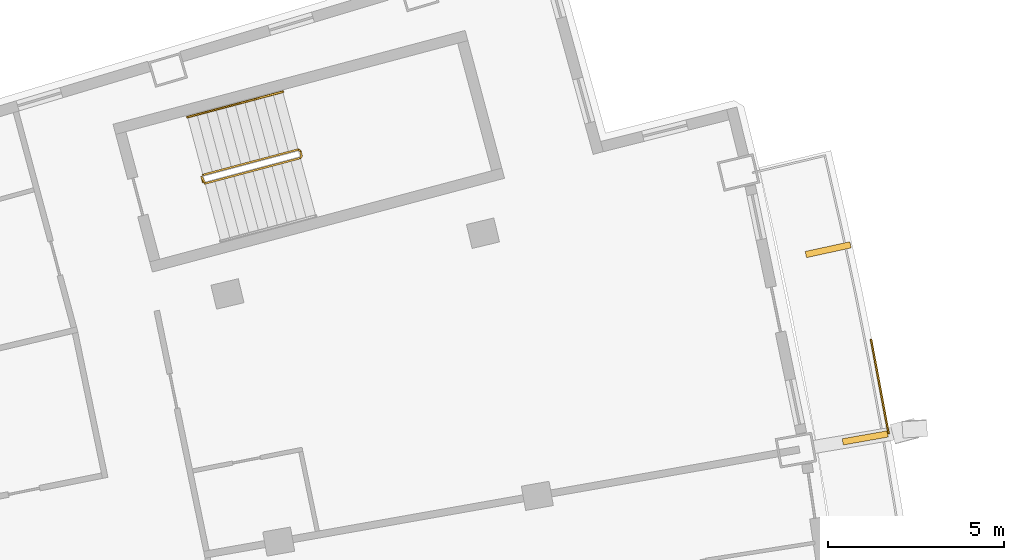
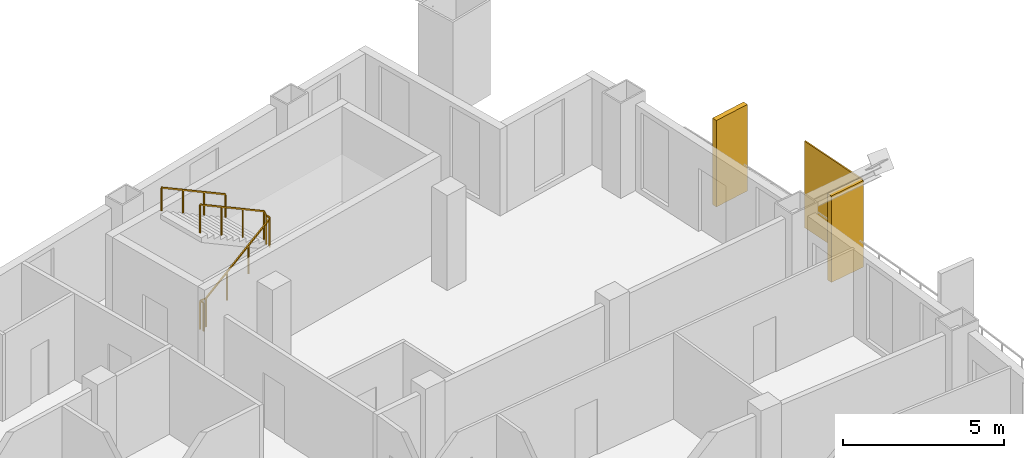
# One storey, part 21 of 21: 3 shading devices, 2 railings.
"""IFC4 building model written with IfcOpenShell, lengths in metres."""

import ifcopenshell
import ifcopenshell.guid

model = None  # the IFC model being written
_history = None  # IfcOwnerHistory: only IFC2X3 demands one
_inside = {}  # id of a spatial element -> (the spatial element, [elements in it])
_under = {}  # id of a project, library or spatial element -> (it, [spatial elements below it])
_declared = {}  # id of a project -> (the project, [libraries it declares])
_typed = {}  # id of a type object -> (the type object, [elements of that type])
_made_of = {}  # id of a material, layer set ... -> (it, [elements and type objects made of it])


def new_model(schema):
    """Start an empty IFC model of exactly this schema.

    Asked for "IFC4X3", IfcOpenShell would pick the latest addendum, in which some entities
    have other attributes; the version numbers below select the first issue.
    IFC2X3 requires an IfcOwnerHistory on every rooted entity: one is made here for all.
    """
    global model, _history
    if schema == "IFC4X3":
        model = ifcopenshell.file(schema_version=(4, 3, 0, 0))
    else:
        model = ifcopenshell.file(schema=schema)
    _inside.clear()
    _under.clear()
    _declared.clear()
    _typed.clear()
    _made_of.clear()
    _history = None
    if model.schema == "IFC2X3":
        org = make("IfcOrganization", Name="unknown")
        user = make(
            "IfcPersonAndOrganization",
            ThePerson=make("IfcPerson", FamilyName="unknown"),
            TheOrganization=org,
        )
        app = make(
            "IfcApplication",
            ApplicationDeveloper=org,
            Version="unknown",
            ApplicationFullName="unknown",
            ApplicationIdentifier="unknown",
        )
        _history = make(
            "IfcOwnerHistory",
            OwningUser=user,
            OwningApplication=app,
            ChangeAction="ADDED",
            CreationDate=0,
        )
    return model


def make(cls, **values):
    """One entity of the class cls with the attributes given. An attribute that is None is left unset."""
    return model.create_entity(
        cls, **{name: value for name, value in values.items() if value is not None}
    )


def rooted(cls, **values):
    """An entity with a GlobalId (a new one), such as an element, a storey or a relation."""
    return make(cls, GlobalId=ifcopenshell.guid.new(), OwnerHistory=_history, **values)


def si_unit(unit_type, name, prefix=None):
    """IfcSIUnit, for example si_unit("LENGTHUNIT", "METRE", prefix="MILLI")."""
    return make("IfcSIUnit", UnitType=unit_type, Prefix=prefix, Name=name)


def assignment(units):
    """IfcUnitAssignment: the units of a project."""
    return None if units is None else make("IfcUnitAssignment", Units=units)


def point(xyz):
    """IfcCartesianPoint."""
    return None if xyz is None else make("IfcCartesianPoint", Coordinates=xyz)


def direction(xyz):
    """IfcDirection."""
    return None if xyz is None else make("IfcDirection", DirectionRatios=xyz)


def frame(location, z_axis=None, x_axis=None):
    """IfcAxis2Placement3D, a coordinate frame: its origin and axes. An axis left out is left unset."""
    return make(
        "IfcAxis2Placement3D",
        Location=point(location),
        Axis=direction(z_axis),
        RefDirection=direction(x_axis),
    )


def frame_2d(location, x_axis=None):
    """IfcAxis2Placement2D, a coordinate frame in the plane: its origin and x axis."""
    return make(
        "IfcAxis2Placement2D", Location=point(location), RefDirection=direction(x_axis)
    )


def origin():
    """The frame at (0, 0, 0) with its axes left unset."""
    return frame((0.0, 0.0, 0.0))


def origin_2d():
    """The frame at (0, 0) in the plane with its x axis left unset."""
    return frame_2d((0.0, 0.0))


def place(relative_to, where):
    """IfcLocalPlacement: puts the frame where relative to a parent placement (None: the world)."""
    return make(
        "IfcLocalPlacement", PlacementRelTo=relative_to, RelativePlacement=where
    )


def context(
    kind, dimensions, precision=None, world=None, true_north=None, identifier=None
):
    """IfcGeometricRepresentationContext, for example the 3D "Model" context."""
    return make(
        "IfcGeometricRepresentationContext",
        ContextIdentifier=identifier,
        ContextType=kind,
        CoordinateSpaceDimension=dimensions,
        Precision=precision,
        WorldCoordinateSystem=world,
        TrueNorth=true_north,
    )


def subcontext(parent, identifier, kind, view, scale=None):
    """IfcGeometricRepresentationSubContext, for example "Body" below "Model"."""
    return make(
        "IfcGeometricRepresentationSubContext",
        ContextIdentifier=identifier,
        ContextType=kind,
        ParentContext=parent,
        TargetScale=scale,
        TargetView=view,
    )


def project(units=None, contexts=None):
    """IfcProject with its units and contexts."""
    return rooted(
        "IfcProject",
        Name="project",
        RepresentationContexts=contexts,
        UnitsInContext=assignment(units),
    )


def spatial(cls, under=None, at=None, **own):
    """A site, building, storey or space (cls), placed at a placement, below another one or the project."""
    s = rooted(cls, ObjectPlacement=at, **own)
    if under is not None:
        _under.setdefault(under.id(), (under, []))[1].append(s)
    return s


def profile(cls, at=None, kind="AREA", **sizes):
    """A parametric profile (cls). Its sizes go by their IFC names, for example OverallWidth=200.0."""
    return make(cls, ProfileType=kind, Position=at, **sizes)


def rectangle(**sizes):
    """IfcRectangleProfileDef."""
    return profile("IfcRectangleProfileDef", **sizes)


def extrude(swept, where, along, depth):
    """IfcExtrudedAreaSolid: the profile swept, set in the frame where, extruded along a direction by depth."""
    return make(
        "IfcExtrudedAreaSolid",
        SweptArea=swept,
        Position=where,
        ExtrudedDirection=direction(along),
        Depth=depth,
    )


def shape(context_of_items, identifier, shape_type, items):
    """IfcShapeRepresentation: the items that make up one representation, for example the "Body"."""
    return make(
        "IfcShapeRepresentation",
        ContextOfItems=context_of_items,
        RepresentationIdentifier=identifier,
        RepresentationType=shape_type,
        Items=items,
    )


def material(Name=None, Category=None):
    """IfcMaterial."""
    return make("IfcMaterial", Name=Name, Category=Category)


def layer(
    of_material, thickness, ventilated=None, Name=None, Category=None, Priority=None
):
    """IfcMaterialLayer: one layer of a wall or slab, of a material (None: an air gap)."""
    return make(
        "IfcMaterialLayer",
        Material=of_material,
        LayerThickness=thickness,
        IsVentilated=ventilated,
        Name=Name,
        Category=Category,
        Priority=Priority,
    )


def layer_set(layers, Name=None):
    """IfcMaterialLayerSet."""
    return make("IfcMaterialLayerSet", MaterialLayers=layers, LayerSetName=Name)


def made_of(thing, what):
    """Note that an element or type object is made of a material, layer set ...; save() writes the relation."""
    if what is not None:
        _made_of.setdefault(what.id(), (what, []))[1].append(thing)
    return thing


def type_object(cls, material=None, **own):
    """A type object (cls), such as IfcWallType, which elements share."""
    return made_of(rooted(cls, **own), material)


def element(
    cls,
    number,
    at=None,
    inside=None,
    cuts=None,
    type_object=None,
    material=None,
    context=None,
    identifier="Body",
    shape_type=None,
    held_by="IfcProductDefinitionShape",
    body=None,
    shapes=None,
    **own,
):
    """One element of the class cls, such as IfcWall. Its Tag is "e" and its number.

    at: its placement. inside: the storey or other place that contains it. cuts: it is an
    opening in that element (IfcRelVoidsElement). A single representation is given by context,
    identifier, shape_type and body (its items); several are given by shapes. held_by: the class
    of the entity that holds the representations. save() writes the other relations.
    """
    e = rooted(cls, Tag="e%d" % number, ObjectPlacement=at, **own)
    if body is not None:
        shapes = [shape(context, identifier, shape_type, body)]
    if shapes is not None:
        e.Representation = make(held_by, Representations=shapes)
    if inside is not None:
        _inside.setdefault(inside.id(), (inside, []))[1].append(e)
    if cuts is not None:
        rooted(
            "IfcRelVoidsElement", RelatingBuildingElement=cuts, RelatedOpeningElement=e
        )
    if type_object is not None:
        _typed.setdefault(type_object.id(), (type_object, []))[1].append(e)
    return made_of(e, material)


def aggregate(whole, parts):
    """IfcRelAggregates: a whole, such as a stair, and the parts it consists of."""
    return rooted("IfcRelAggregates", RelatingObject=whole, RelatedObjects=parts)


def save(model, path):
    """Write the relations noted so far, then the file.

    IfcRelAggregates (storeys below a building ...), IfcRelContainedInSpatialStructure (elements
    in a storey), IfcRelDefinesByType, IfcRelAssociatesMaterial and IfcRelDeclares: one each for
    every whole, place, type object, material and project.
    """
    for whole, parts in _under.values():
        aggregate(whole, parts)
    for where, things in _inside.values():
        rooted(
            "IfcRelContainedInSpatialStructure",
            RelatedElements=things,
            RelatingStructure=where,
        )
    for kind, things in _typed.values():
        rooted("IfcRelDefinesByType", RelatedObjects=things, RelatingType=kind)
    for what, things in _made_of.values():
        rooted("IfcRelAssociatesMaterial", RelatedObjects=things, RelatingMaterial=what)
    for by, libraries in _declared.values():
        rooted("IfcRelDeclares", RelatingContext=by, RelatedDefinitions=libraries)
    model.write(path)


model = new_model("IFC4")

# Units and contexts
model_context = context("Model", 3, precision=1e-05, world=origin(), true_north=direction((0.0, 1.0)))
body_context = subcontext(model_context, "Body", "Model", "MODEL_VIEW")
ifc_project = project(units=[si_unit("LENGTHUNIT", "METRE"), si_unit("AREAUNIT", "SQUARE_METRE"), si_unit("VOLUMEUNIT", "CUBIC_METRE"), si_unit("PLANEANGLEUNIT", "RADIAN"), si_unit("MASSUNIT", "GRAM", prefix="KILO")], contexts=[model_context])

# Site, building, storey
site_placement = place(None, origin())
site = spatial("IfcSite", under=ifc_project, at=site_placement, CompositionType="ELEMENT")
building_placement = place(site_placement, origin())
building = spatial("IfcBuilding", under=site, at=building_placement, Name="Alderwake Tower", CompositionType="ELEMENT")
storey_placement = place(building_placement, frame((0.0, 0.0, 207.199951171875)))
storey = spatial("IfcBuildingStorey", under=building, at=storey_placement, Name="L51", CompositionType="ELEMENT", Elevation=207.199951171875)

# Shading devices
ifc_material_1 = material(Name="Bronze anodised aluminium", Category="aluminium")
ifc_layer_1 = layer(ifc_material_1, 0.179931640625)
ifc_layer_set_1 = layer_set([ifc_layer_1], Name="Facade fin 1300")
shading_device_type_1 = type_object("IfcShadingDeviceType", Name="Facade fin 1300", PredefinedType="USERDEFINED", material=ifc_layer_set_1)
for number, where, z_axis, x_axis, name in (
    (1, (58.05859375, 85.409912109375, 0.0), (0.0, 0.0, 1.0), (0.984726421654, 0.174108800747, 0.0), "Fin"),
    (2, (57.0048828125, 90.760498046875, 0.0), (0.0, 0.0, 1.0), (0.977210363881, 0.212273184185, 0.0), "Fin"),
):
    element("IfcShadingDevice", number, at=place(storey_placement, frame(where, z_axis=z_axis, x_axis=x_axis)), inside=storey, type_object=shading_device_type_1, Name=name, ObjectType="FIN", PredefinedType="USERDEFINED", context=body_context, shape_type="SweptSolid", body=[
        extrude(rectangle(XDim=1.300048828125, YDim=0.179931640625, at=origin_2d()), origin(), (0.0, 0.0, 1.0), 3.280029296875),
    ])
ifc_material_2 = material(Name="Perforated bronze anodised aluminium", Category="aluminium")
ifc_layer_2 = layer(ifc_material_2, 0.050048828125)
ifc_layer_set_2 = layer_set([ifc_layer_2], Name="Perforated screen panel")
shading_device_type_2 = type_object("IfcShadingDeviceType", Name="Perforated screen panel", PredefinedType="USERDEFINED", material=ifc_layer_set_2)
shading_device_placement = place(storey_placement, frame((58.472412109375, 86.87060546875, 0.0), z_axis=(0.0, 0.0, 1.0), x_axis=(0.982991488043, 0.183651121519, 0.0)))
element("IfcShadingDevice", 3, at=shading_device_placement, inside=storey, type_object=shading_device_type_2, Name="Screen panel", ObjectType="SCREEN", PredefinedType="USERDEFINED", context=body_context, shape_type="SweptSolid", body=[
    extrude(rectangle(XDim=0.050048828125, YDim=2.73291015625, at=origin_2d()), origin(), (0.0, 0.0, 1.0), 3.280029296875),
])

# Railings
ifc_material_3 = material(Name="Stainless steel guard", Category="steel")
railing_type_1 = type_object("IfcRailingType", Name="Stair guard 1100", PredefinedType="GUARDRAIL", material=ifc_material_3)
railing_1_placement = place(storey_placement, frame((39.23291015625, 92.6806640625, 0.0)))
element("IfcRailing", 4, at=railing_1_placement, inside=storey, type_object=railing_type_1, Name="L51 ST-A stair guard 1", PredefinedType="GUARDRAIL", context=body_context, shape_type="SweptSolid", body=[
    extrude(rectangle(XDim=0.048095703125, YDim=0.048095703125, at=origin_2d()), frame((0.0, 0.0, 1.076171875), z_axis=(-0.257055032184, 0.966396766566, 0.0), x_axis=(-0.966396766566, -0.257055032184, 0.0)), (0.0, 0.0, 1.0), 0.150146484375),
    extrude(rectangle(XDim=0.048095703125, YDim=0.048095703125, at=origin_2d()), frame((-0.03857421875, 0.14501953125, 1.076171875), z_axis=(0.379370725808, -0.685464465458, 0.621463047167), x_axis=(0.874937996095, 0.484234966715, 0.0)), (0.0, 0.0, 1.0), 0.26318359375),
    extrude(rectangle(XDim=0.048095703125, YDim=0.048095703125, at=origin_2d()), frame((0.061279296875, -0.035400390625, 1.23974609375), z_axis=(0.834258940753, 0.22222815314, 0.504605457487), x_axis=(-0.257402139082, 0.966304371715, 0.0)), (0.0, 0.0, 1.0), 3.2431640625),
    extrude(rectangle(XDim=0.048095703125, YDim=0.048095703125, at=origin_2d()), frame((2.766845703125, 0.685302734375, 2.8759765625), z_axis=(0.500220121494, 0.865898279276, 0.0), x_axis=(-0.865898279276, 0.500220121494, 0.0)), (0.0, 0.0, 1.0), 0.07080078125),
    extrude(rectangle(XDim=0.048095703125, YDim=0.048095703125, at=origin_2d()), frame((2.80224609375, 0.74658203125, 2.8759765625), z_axis=(-0.257459803502, 0.966289009345, 0.0), x_axis=(-0.966289009345, -0.257459803502, 0.0)), (0.0, 0.0, 1.0), 0.14990234375),
    extrude(rectangle(XDim=0.048095703125, YDim=0.048095703125, at=origin_2d()), frame((2.763671875, 0.891357421875, 2.8759765625), z_axis=(-0.34252489212, 0.200034536998, 0.917966710881), x_axis=(-0.504300490226, -0.863528236688, 0.0)), (0.0, 0.0, 1.0), 0.17822265625),
    extrude(rectangle(XDim=0.048095703125, YDim=0.048095703125, at=origin_2d()), frame((2.70263671875, 0.927001953125, 3.03955078125), z_axis=(-0.834281824786, -0.222214197128, 0.504573768072), x_axis=(0.257380452725, -0.966310148221, 0.0)), (0.0, 0.0, 1.0), 3.2431640625),
    extrude(rectangle(XDim=0.0419921875, YDim=0.0419921875, at=origin_2d()), frame((0.0, 0.0, 0.0), z_axis=(0.0, 0.0, 1.0), x_axis=(-0.257055032184, 0.966396766566, 0.0)), (0.0, 0.0, 1.0), 1.052001953125),
    extrude(rectangle(XDim=0.0419921875, YDim=0.0419921875, at=origin_2d()), frame((-0.03857421875, 0.14501953125, 0.0), z_axis=(0.0, 0.0, 1.0), x_axis=(0.484234966715, -0.874937996095, 0.0)), (0.0, 0.0, 1.0), 1.052001953125),
    extrude(rectangle(XDim=0.0419921875, YDim=0.0419921875, at=origin_2d()), frame((0.061279296875, -0.035400390625, 0.16357421875), z_axis=(0.0, 0.0, 1.0), x_axis=(0.966304371715, 0.257402139082, 0.0)), (0.0, 0.0, 1.0), 1.052001953125),
    extrude(rectangle(XDim=0.0419921875, YDim=0.0419921875, at=origin_2d()), frame((0.963134765625, 0.204833984375, 0.708984375), z_axis=(0.0, 0.0, 1.0), x_axis=(0.966304371715, 0.257402139082, 0.0)), (0.0, 0.0, 1.0), 1.052001953125),
    extrude(rectangle(XDim=0.0419921875, YDim=0.0419921875, at=origin_2d()), frame((1.864990234375, 0.445068359375, 1.254638671875), z_axis=(0.0, 0.0, 1.0), x_axis=(0.966304371715, 0.257402139082, 0.0)), (0.0, 0.0, 1.0), 1.052001953125),
    extrude(rectangle(XDim=0.0419921875, YDim=0.0419921875, at=origin_2d()), frame((2.766845703125, 0.685302734375, 1.800048828125), z_axis=(0.0, 0.0, 1.0), x_axis=(0.500220121494, 0.865898279276, 0.0)), (0.0, 0.0, 1.0), 1.052001953125),
    extrude(rectangle(XDim=0.0419921875, YDim=0.0419921875, at=origin_2d()), frame((2.80224609375, 0.74658203125, 1.800048828125), z_axis=(0.0, 0.0, 1.0), x_axis=(-0.257459803502, 0.966289009345, 0.0)), (0.0, 0.0, 1.0), 1.052001953125),
    extrude(rectangle(XDim=0.0419921875, YDim=0.0419921875, at=origin_2d()), frame((2.763671875, 0.891357421875, 1.800048828125), z_axis=(0.0, 0.0, 1.0), x_axis=(-0.863528236688, 0.504300490226, 0.0)), (0.0, 0.0, 1.0), 1.052001953125),
    extrude(rectangle(XDim=0.0419921875, YDim=0.0419921875, at=origin_2d()), frame((2.70263671875, 0.927001953125, 1.963623046875), z_axis=(0.0, 0.0, 1.0), x_axis=(-0.966310148221, -0.257380452725, 0.0)), (0.0, 0.0, 1.0), 1.052001953125),
    extrude(rectangle(XDim=0.0419921875, YDim=0.0419921875, at=origin_2d()), frame((1.80078125, 0.686767578125, 2.509033203125), z_axis=(0.0, 0.0, 1.0), x_axis=(-0.966310148221, -0.257380452725, 0.0)), (0.0, 0.0, 1.0), 1.052001953125),
    extrude(rectangle(XDim=0.0419921875, YDim=0.0419921875, at=origin_2d()), frame((0.898681640625, 0.446533203125, 3.0546875), z_axis=(0.0, 0.0, 1.0), x_axis=(-0.966310148221, -0.257380452725, 0.0)), (0.0, 0.0, 1.0), 1.052001953125),
    extrude(rectangle(XDim=0.0419921875, YDim=0.0419921875, at=origin_2d()), frame((-0.003173828125, 0.206298828125, 3.60009765625), z_axis=(0.0, 0.0, 1.0), x_axis=(-0.966310148221, -0.257380452725, 0.0)), (0.0, 0.0, 1.0), 1.052001953125),
])
ifc_material_4 = material(Name="Stainless steel handrail", Category="steel")
railing_type_2 = type_object("IfcRailingType", Name="Stair handrail 900", PredefinedType="HANDRAIL", material=ifc_material_4)
railing_2_placement = place(storey_placement, frame((41.497802734375, 95.250244140625, 1.963623046875)))
element("IfcRailing", 5, at=railing_2_placement, inside=storey, type_object=railing_type_2, Name="L51 ST-A stair handrail 2", PredefinedType="HANDRAIL", context=body_context, shape_type="SweptSolid", body=[
    extrude(rectangle(XDim=0.048095703125, YDim=0.048095703125, at=origin_2d()), frame((0.0, 0.0, 0.8759765625), z_axis=(-0.834258940753, -0.22222815314, 0.504605457487), x_axis=(0.257402139082, -0.966304371715, 0.0)), (0.0, 0.0, 1.0), 3.2431640625),
    extrude(rectangle(XDim=0.0419921875, YDim=0.0419921875, at=origin_2d()), frame((0.0, 0.0, 0.0), z_axis=(0.0, 0.0, 1.0), x_axis=(-0.966304371715, -0.257402139082, 0.0)), (0.0, 0.0, 1.0), 0.851806640625),
    extrude(rectangle(XDim=0.0419921875, YDim=0.0419921875, at=origin_2d()), frame((-0.90185546875, -0.240234375, 0.54541015625), z_axis=(0.0, 0.0, 1.0), x_axis=(-0.966304371715, -0.257402139082, 0.0)), (0.0, 0.0, 1.0), 0.851806640625),
    extrude(rectangle(XDim=0.0419921875, YDim=0.0419921875, at=origin_2d()), frame((-1.8037109375, -0.48046875, 1.091064453125), z_axis=(0.0, 0.0, 1.0), x_axis=(-0.966304371715, -0.257402139082, 0.0)), (0.0, 0.0, 1.0), 0.851806640625),
    extrude(rectangle(XDim=0.0419921875, YDim=0.0419921875, at=origin_2d()), frame((-2.70556640625, -0.720703125, 1.636474609375), z_axis=(0.0, 0.0, 1.0), x_axis=(-0.966304371715, -0.257402139082, 0.0)), (0.0, 0.0, 1.0), 0.851806640625),
])

save(model, "model.ifc")
